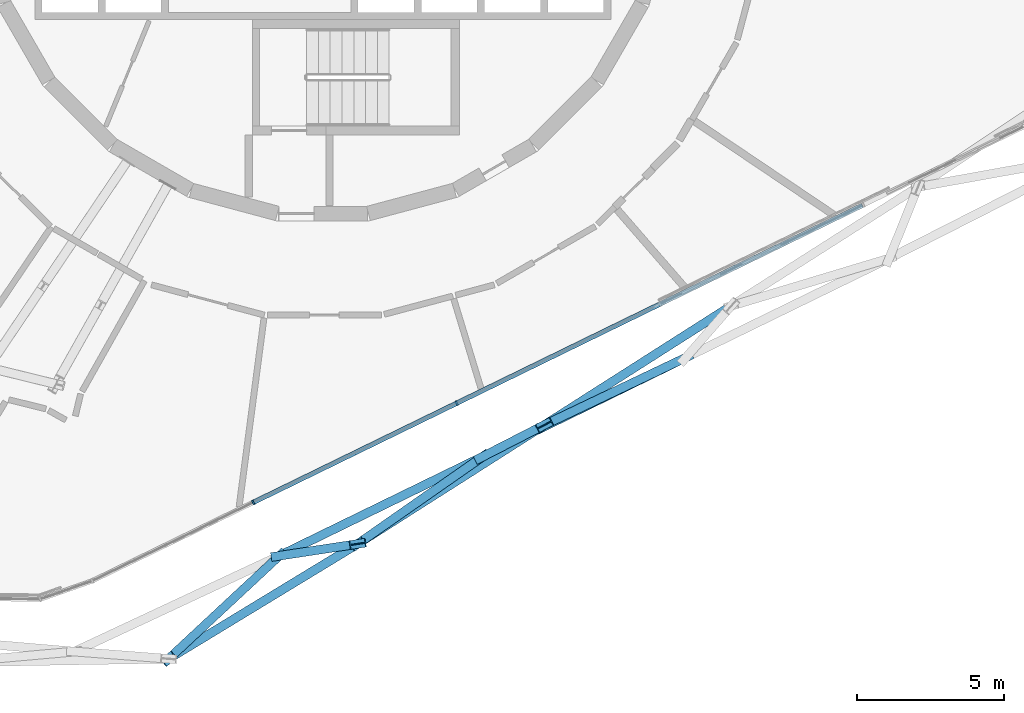
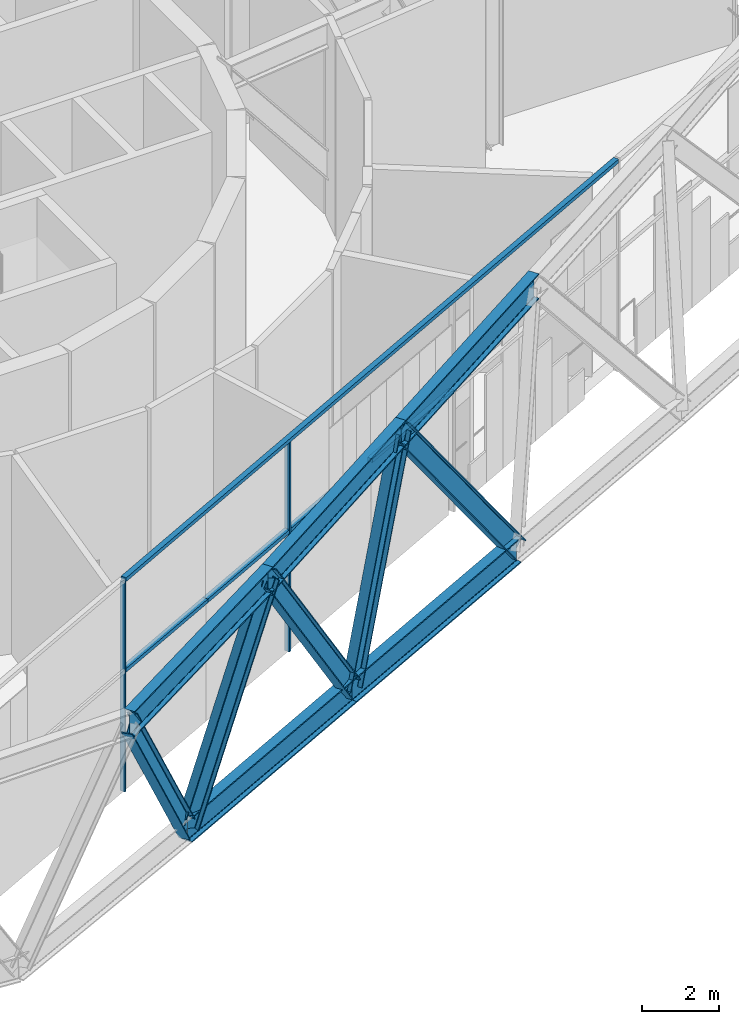
# One storey, part 2 of 24: 17 members, 1 element without a shape of its own.
"""IFC4 building model written with IfcOpenShell, lengths in metres."""

from ifc_helpers import new_model, si_unit, direction, frame, origin, origin_2d, place, context, subcontext, project, spatial, rectangle, i_section, extrude, material, layer, layer_set, material_profile, profile_set, type_object, element, aggregate, save


model = new_model("IFC4")

# Units and contexts
model_context = context("Model", 3, precision=1e-05, world=origin(), true_north=direction((0.0, 1.0)))
body_context = subcontext(model_context, "Body", "Model", "MODEL_VIEW")
ifc_project = project(units=[si_unit("LENGTHUNIT", "METRE"), si_unit("AREAUNIT", "SQUARE_METRE"), si_unit("VOLUMEUNIT", "CUBIC_METRE"), si_unit("PLANEANGLEUNIT", "RADIAN"), si_unit("MASSUNIT", "GRAM", prefix="KILO")], contexts=[model_context])

# Site, building, storey
site_placement = place(None, origin())
site = spatial("IfcSite", under=ifc_project, at=site_placement, CompositionType="ELEMENT")
building_placement = place(site_placement, origin())
building = spatial("IfcBuilding", under=site, at=building_placement, Name="Spindle Arch Residences", CompositionType="ELEMENT")
storey_placement = place(building_placement, frame((0.0, 0.0, 219.89990234375)))
storey = spatial("IfcBuildingStorey", under=building, at=storey_placement, Name="L56", CompositionType="ELEMENT", Elevation=219.89990234375)

# Members
ifc_material_1 = material(Name="Steel S460ML, intumescent coating R 240", Category="steel")
ifc_material_profile_1 = material_profile(ifc_material_1, i_section(OverallWidth=0.302978515625, OverallDepth=0.81396484375, WebThickness=0.02099609375, FlangeThickness=0.0400390625, FilletRadius=0.030029296875, at=origin_2d()), Name="HEM 800")
ifc_profile_set_1 = profile_set([ifc_material_profile_1], Name="Steel S460ML, intumescent coating R 240")
member_type_1 = type_object("IfcMemberType", Name="Belt truss chord HEM 800", PredefinedType="CHORD", material=ifc_profile_set_1)
member_1_placement = place(storey_placement, frame((-1.482177734375, -23.287353515625, -0.85693359375), z_axis=(0.898794365999, 0.438370491307, 0.0), x_axis=(-0.438370491307, 0.898794365999, 0.0)))
element("IfcMember", 1, at=member_1_placement, inside=storey, type_object=member_type_1, Name="Belt truss bottom chord L56.21", PredefinedType="CHORD", context=body_context, shape_type="SweptSolid", body=[
    extrude(i_section(OverallWidth=0.302978515625, OverallDepth=0.81396484375, WebThickness=0.02099609375, FlangeThickness=0.0400390625, FilletRadius=0.030029296875, at=origin_2d()), origin(), (0.0, 0.0, 1.0), 7.69384765625),
])
member_2_placement = place(storey_placement, frame((5.43310546875, -19.91455078125, -0.85693359375), z_axis=(0.898794672786, 0.438369862298, 0.0), x_axis=(-0.438369862298, 0.898794672786, 0.0)))
element("IfcMember", 2, at=member_2_placement, inside=storey, type_object=member_type_1, Name="Belt truss bottom chord L56.22", PredefinedType="CHORD", context=body_context, shape_type="SweptSolid", body=[
    extrude(i_section(OverallWidth=0.302978515625, OverallDepth=0.81396484375, WebThickness=0.02099609375, FlangeThickness=0.0400390625, FilletRadius=0.030029296875, at=origin_2d()), origin(), (0.0, 0.0, 1.0), 7.693359375),
])
member_3_placement = place(storey_placement, frame((-5.243408203125, -26.78857421875, 5.943115234375), z_axis=(0.854520529172, 0.519417621211, 0.0), x_axis=(-0.519417621211, 0.854520529172, 0.0)))
element("IfcMember", 3, at=member_3_placement, inside=storey, type_object=member_type_1, Name="Belt truss top chord L56.20", PredefinedType="CHORD", context=body_context, shape_type="SweptSolid", body=[
    extrude(i_section(OverallWidth=0.302978515625, OverallDepth=0.81396484375, WebThickness=0.02099609375, FlangeThickness=0.0400390625, FilletRadius=0.030029296875, at=origin_2d()), origin(), (0.0, 0.0, 1.0), 7.522216796875),
])
member_4_placement = place(storey_placement, frame((1.1845703125, -22.88134765625, 5.943115234375), z_axis=(0.843393042763, 0.537297101629, 0.0), x_axis=(-0.537297101629, 0.843393042763, 0.0)))
element("IfcMember", 4, at=member_4_placement, inside=storey, type_object=member_type_1, Name="Belt truss top chord L56.21", PredefinedType="CHORD", context=body_context, shape_type="SweptSolid", body=[
    extrude(i_section(OverallWidth=0.302978515625, OverallDepth=0.81396484375, WebThickness=0.02099609375, FlangeThickness=0.0400390625, FilletRadius=0.030029296875, at=origin_2d()), origin(), (0.0, 0.0, 1.0), 7.530029296875),
])
member_5_placement = place(storey_placement, frame((7.535400390625, -18.83544921875, 5.943115234375), z_axis=(0.843383682536, 0.537311794056, 0.0), x_axis=(-0.537311794056, 0.843383682536, 0.0)))
element("IfcMember", 5, at=member_5_placement, inside=storey, type_object=member_type_1, Name="Belt truss top chord L56.22", PredefinedType="CHORD", context=body_context, shape_type="SweptSolid", body=[
    extrude(i_section(OverallWidth=0.302978515625, OverallDepth=0.81396484375, WebThickness=0.02099609375, FlangeThickness=0.0400390625, FilletRadius=0.030029296875, at=origin_2d()), origin(), (0.0, 0.0, 1.0), 7.52978515625),
])
ifc_material_2 = material(Name="Steel S460ML, intumescent coating R 240", Category="steel")
ifc_material_profile_2 = material_profile(ifc_material_2, i_section(OverallWidth=0.300048828125, OverallDepth=0.60009765625, WebThickness=0.015380859375, FlangeThickness=0.030029296875, FilletRadius=0.027099609375, at=origin_2d()), Name="HEB 600")
ifc_profile_set_2 = profile_set([ifc_material_profile_2], Name="Steel S460ML, intumescent coating R 240")
member_type_2 = type_object("IfcMemberType", Name="Belt truss diagonal HEB 600", PredefinedType="BRACE", material=ifc_profile_set_2)
member_6_placement = place(storey_placement, frame((-1.482177734375, -23.287353515625, -0.85693359375), z_axis=(-0.441289808615, -0.410783924792, 0.797821955041), x_axis=(0.681354461187, -0.731953617534, 0.0)))
element("IfcMember", 6, at=member_6_placement, inside=storey, type_object=member_type_2, Name="Belt truss diagonal L56.20.21", PredefinedType="BRACE", context=body_context, shape_type="SweptSolid", body=[
    extrude(i_section(OverallWidth=0.300048828125, OverallDepth=0.60009765625, WebThickness=0.015380859375, FlangeThickness=0.030029296875, FilletRadius=0.027099609375, at=origin_2d()), origin(), (0.0, 0.0, 1.0), 8.523193359375),
])
member_7_placement = place(storey_placement, frame((-1.482177734375, -23.287353515625, -0.85693359375), z_axis=(0.364532205214, 0.055499135519, 0.929535430911), x_axis=(-0.150513148062, 0.988608007382, 0.0)))
element("IfcMember", 7, at=member_7_placement, inside=storey, type_object=member_type_2, Name="Belt truss diagonal L56.21.21", PredefinedType="BRACE", context=body_context, shape_type="SweptSolid", body=[
    extrude(i_section(OverallWidth=0.300048828125, OverallDepth=0.60009765625, WebThickness=0.015380859375, FlangeThickness=0.030029296875, FilletRadius=0.027099609375, at=origin_2d()), origin(), (0.0, 0.0, 1.0), 7.3154296875),
])
member_8_placement = place(storey_placement, frame((5.43310546875, -19.91455078125, -0.85693359375), z_axis=(-0.49693835133, -0.347017287976, 0.795381214779), x_axis=(0.572532338307, -0.819882138843, 0.0)))
element("IfcMember", 8, at=member_8_placement, inside=storey, type_object=member_type_2, Name="Belt truss diagonal L56.21.22", PredefinedType="BRACE", context=body_context, shape_type="SweptSolid", body=[
    extrude(i_section(OverallWidth=0.300048828125, OverallDepth=0.60009765625, WebThickness=0.015380859375, FlangeThickness=0.030029296875, FilletRadius=0.027099609375, at=origin_2d()), origin(), (0.0, 0.0, 1.0), 8.54931640625),
])
member_9_placement = place(storey_placement, frame((5.43310546875, -19.91455078125, -0.85693359375), z_axis=(0.29202831137, 0.149897240304, 0.944590007732), x_axis=(-0.456652214037, 0.889645297529, 0.0)))
element("IfcMember", 9, at=member_9_placement, inside=storey, type_object=member_type_2, Name="Belt truss diagonal L56.22.22", PredefinedType="BRACE", context=body_context, shape_type="SweptSolid", body=[
    extrude(i_section(OverallWidth=0.300048828125, OverallDepth=0.60009765625, WebThickness=0.015380859375, FlangeThickness=0.030029296875, FilletRadius=0.027099609375, at=origin_2d()), origin(), (0.0, 0.0, 1.0), 7.198974609375),
])
member_10_placement = place(storey_placement, frame((12.347900390625, -16.5419921875, -0.85693359375), z_axis=(-0.55696066359, -0.265426566242, 0.786983835378), x_axis=(0.430207320628, -0.902730115416, 0.0)))
element("IfcMember", 10, at=member_10_placement, inside=storey, type_object=member_type_2, Name="Belt truss diagonal L56.22.1", PredefinedType="BRACE", context=body_context, shape_type="SweptSolid", body=[
    extrude(i_section(OverallWidth=0.300048828125, OverallDepth=0.60009765625, WebThickness=0.015380859375, FlangeThickness=0.030029296875, FilletRadius=0.027099609375, at=origin_2d()), origin(), (0.0, 0.0, 1.0), 8.640625),
])

# Curtain wall, members
ifc_material_3 = material(Name="Aluminium bronze unitised frame with tinted glass", Category="aluminium")
ifc_layer = layer(ifc_material_3, 0.159912109375)
ifc_layer_set = layer_set([ifc_layer], Name="CW-E double-height winter garden wall")
curtain_wall_type = type_object("IfcCurtainWallType", Name="CW-E double-height winter garden wall", PredefinedType="NOTDEFINED", material=ifc_layer_set)
curtain_wall_placement = place(storey_placement, origin())
curtain_wall = element("IfcCurtainWall", 11, at=curtain_wall_placement, inside=storey, type_object=curtain_wall_type, Name="CW-E L56 run 6", PredefinedType="NOTDEFINED")
ifc_material_4 = material(Name="Aluminium bronze anodised mullion", Category="aluminium")
ifc_material_profile_3 = material_profile(ifc_material_4, rectangle(XDim=0.159912109375, YDim=0.06005859375, at=origin_2d()), Name="MU 60x160")
ifc_profile_set_3 = profile_set([ifc_material_profile_3], Name="Aluminium bronze anodised mullion")
member_type_3 = type_object("IfcMemberType", Name="Bronze mullion 60x160", PredefinedType="MULLION", material=ifc_profile_set_3)
member_11_placement = place(storey_placement, frame((-2.36767578125, -21.4716796875, -0.449951171875), z_axis=(0.0, 0.0, 1.0), x_axis=(-0.438371146789, 0.898794046299, 0.0)))
member_11 = element("IfcMember", 12, at=member_11_placement, type_object=member_type_3, Name="CW-E mullion 20", PredefinedType="MULLION", context=body_context, shape_type="SweptSolid", body=[
    extrude(rectangle(XDim=0.159912109375, YDim=0.06005859375, at=origin_2d()), origin(), (0.0, 0.0, 1.0), 6.679931640625),
])
member_12_placement = place(storey_placement, frame((4.54736328125, -18.09912109375, -0.449951171875), z_axis=(0.0, 0.0, 1.0), x_axis=(-0.438371146789, 0.898794046299, 0.0)))
member_12 = element("IfcMember", 13, at=member_12_placement, type_object=member_type_3, Name="CW-E mullion 21", PredefinedType="MULLION", context=body_context, shape_type="SweptSolid", body=[
    extrude(rectangle(XDim=0.159912109375, YDim=0.06005859375, at=origin_2d()), origin(), (0.0, 0.0, 1.0), 6.679931640625),
])
ifc_material_5 = material(Name="Aluminium bronze anodised transom", Category="aluminium")
ifc_material_profile_4 = material_profile(ifc_material_5, rectangle(XDim=0.159912109375, YDim=0.1201171875, at=origin_2d()), Name="TR 120x160")
ifc_profile_set_4 = profile_set([ifc_material_profile_4], Name="Aluminium bronze anodised transom")
member_type_4 = type_object("IfcMemberType", Name="Bronze transom 120x160", PredefinedType="USERDEFINED", material=ifc_profile_set_4)
member_13_placement = place(storey_placement, frame((-2.340576171875, -21.45849609375, 6.2900390625), z_axis=(0.898793313451, 0.438372649347, 0.0), x_axis=(-0.438372649347, 0.898793313451, 0.0)))
member_13 = element("IfcMember", 14, at=member_13_placement, type_object=member_type_4, Name="CW-E transom 00", ObjectType="TRANSOM", PredefinedType="USERDEFINED", context=body_context, shape_type="SweptSolid", body=[
    extrude(rectangle(XDim=0.159912109375, YDim=0.1201171875, at=origin_2d()), origin(), (0.0, 0.0, 1.0), 23.02099609375),
])
member_14_placement = place(storey_placement, frame((-2.340576171875, -21.45849609375, 3.400146484375), z_axis=(0.898797337868, 0.438364398008, 0.0), x_axis=(-0.438364398008, 0.898797337868, 0.0)))
member_14 = element("IfcMember", 15, at=member_14_placement, type_object=member_type_4, Name="CW-E transom 20Am", ObjectType="TRANSOM", PredefinedType="USERDEFINED", context=body_context, shape_type="SweptSolid", body=[
    extrude(rectangle(XDim=0.159912109375, YDim=0.1201171875, at=origin_2d()), origin(), (0.0, 0.0, 1.0), 3.816650390625),
])
member_15_placement = place(storey_placement, frame((1.08984375, -19.785400390625, 3.400146484375), z_axis=(0.898784427692, 0.438390867307, 0.0), x_axis=(-0.438390867307, 0.898784427692, 0.0)))
member_15 = element("IfcMember", 16, at=member_15_placement, type_object=member_type_4, Name="CW-E transom 20Bm", ObjectType="TRANSOM", PredefinedType="USERDEFINED", context=body_context, shape_type="SweptSolid", body=[
    extrude(rectangle(XDim=0.159912109375, YDim=0.1201171875, at=origin_2d()), origin(), (0.0, 0.0, 1.0), 3.81689453125),
])
member_16_placement = place(storey_placement, frame((4.574462890625, -18.0859375, 3.400146484375), z_axis=(0.898772134127, 0.438416070551, 0.0), x_axis=(-0.438416070551, 0.898772134127, 0.0)))
member_16 = element("IfcMember", 17, at=member_16_placement, type_object=member_type_4, Name="CW-E transom 21Am", ObjectType="TRANSOM", PredefinedType="USERDEFINED", context=body_context, shape_type="SweptSolid", body=[
    extrude(rectangle(XDim=0.159912109375, YDim=0.1201171875, at=origin_2d()), origin(), (0.0, 0.0, 1.0), 3.81689453125),
])
member_17_placement = place(storey_placement, frame((8.0048828125, -16.41259765625, 3.400146484375), z_axis=(0.89880962888, 0.438339196322, 0.0), x_axis=(-0.438339196322, 0.89880962888, 0.0)))
member_17 = element("IfcMember", 18, at=member_17_placement, type_object=member_type_4, Name="CW-E transom 21Bm", ObjectType="TRANSOM", PredefinedType="USERDEFINED", context=body_context, shape_type="SweptSolid", body=[
    extrude(rectangle(XDim=0.159912109375, YDim=0.1201171875, at=origin_2d()), origin(), (0.0, 0.0, 1.0), 3.81689453125),
])
aggregate(curtain_wall, [member_13, member_11, member_14, member_15, member_12, member_16, member_17])

save(model, "model.ifc")
